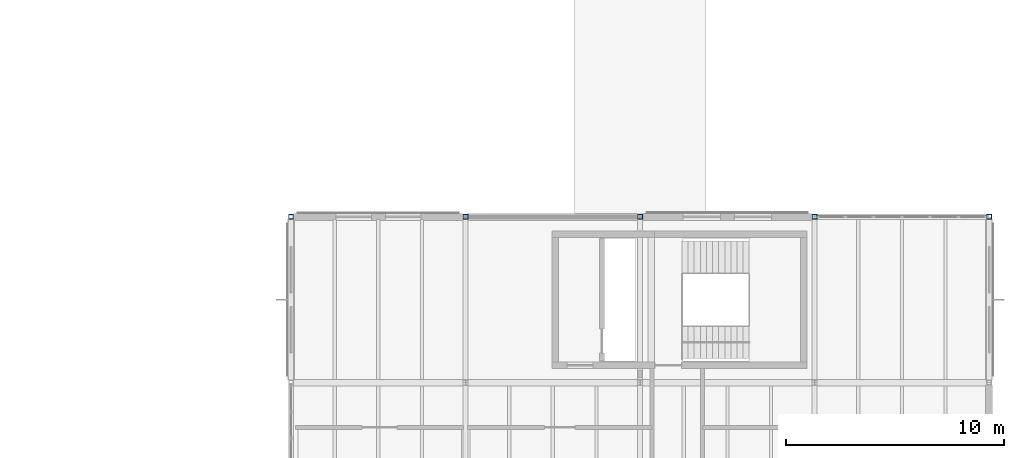
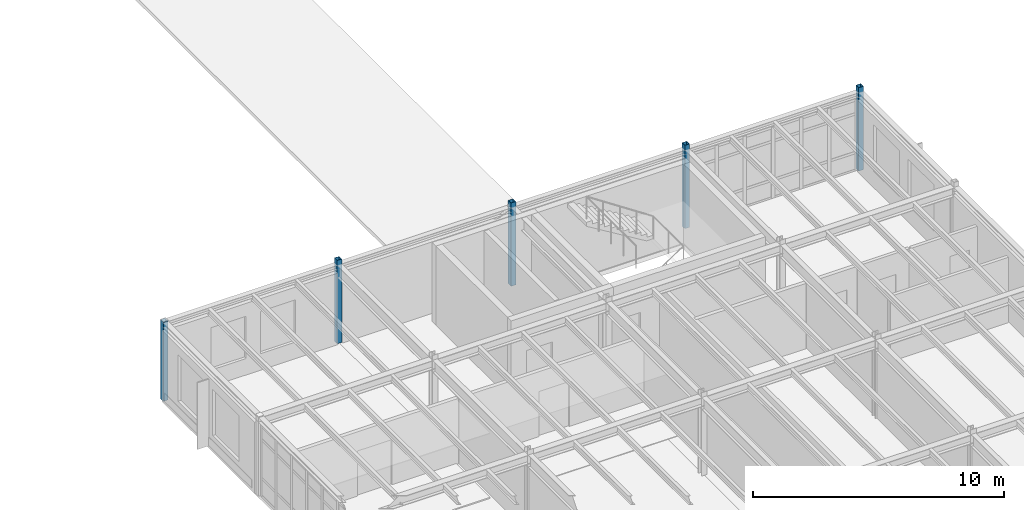
# One storey, part 15 of 114: 5 columns.
"""IFC4 building model written with IfcOpenShell, lengths in metres."""

from ifc_helpers import new_model, si_unit, direction, frame, origin, origin_2d, place, context, subcontext, project, spatial, hollow_rectangle, extrude, material, material_profile, profile_set, type_object, element, save


model = new_model("IFC4")

# Units and contexts
model_context = context("Model", 3, precision=1e-05, world=origin(), true_north=direction((0.0, 1.0)))
body_context = subcontext(model_context, "Body", "Model", "MODEL_VIEW")
ifc_project = project(units=[si_unit("LENGTHUNIT", "METRE"), si_unit("AREAUNIT", "SQUARE_METRE"), si_unit("VOLUMEUNIT", "CUBIC_METRE"), si_unit("PLANEANGLEUNIT", "RADIAN"), si_unit("MASSUNIT", "GRAM", prefix="KILO")], contexts=[model_context])

# Site, building, storey
site_placement = place(None, origin())
site = spatial("IfcSite", under=ifc_project, at=site_placement, CompositionType="ELEMENT")
building_placement = place(site_placement, origin())
building = spatial("IfcBuilding", under=site, at=building_placement, Name="Montecoro Central Library", CompositionType="ELEMENT")
storey_placement = place(building_placement, frame((0.0, 0.0, 13.260009765625)))
storey = spatial("IfcBuildingStorey", under=building, at=storey_placement, Name="L03", CompositionType="ELEMENT", Elevation=13.260009765625)

# Columns
ifc_material = material(Name="Steel S355", Category="steel")
ifc_material_profile = material_profile(ifc_material, hollow_rectangle(XDim=0.219970703125, YDim=0.219970703125, WallThickness=0.010009765625, at=origin_2d()), Name="SHS 220x220x10.0")
ifc_profile_set = profile_set([ifc_material_profile], Name="Steel S355")
column_type = type_object("IfcColumnType", Name="COL-SHS220", PredefinedType="COLUMN", material=ifc_profile_set)
column_placement = place(storey_placement, frame((141.0, 43.0, 0.0), z_axis=(0.0, 0.0, 1.0), x_axis=(1.0, 0.0, 0.0)))
element("IfcColumn", 1, at=column_placement, inside=storey, type_object=column_type, Name="V6-L03-COL-18-F", PredefinedType="COLUMN", context=body_context, shape_type="SweptSolid", body=[
    extrude(hollow_rectangle(XDim=0.219970703125, YDim=0.219970703125, WallThickness=0.010009765625, at=origin_2d()), origin(), (0.0, 0.0, 1.0), 3.85498046875),
])
for number, where, z_axis, x_axis, name in (
    (2, (149.0, 43.0, 0.0), (0.0, 0.0, 1.0), (1.0, 0.0, 0.0), "V6-L03-COL-19-F"),
    (3, (157.0, 43.0, 0.0), (0.0, 0.0, 1.0), (1.0, 0.0, 0.0), "V6-L03-COL-20-F"),
    (4, (165.0, 43.0, 0.0), (0.0, 0.0, 1.0), (1.0, 0.0, 0.0), "V6-L03-COL-21-F"),
    (5, (173.0, 43.0, 0.0), (0.0, 0.0, 1.0), (1.0, 0.0, 0.0), "V6-L03-COL-22-F"),
):
    element("IfcColumn", number, at=place(storey_placement, frame(where, z_axis=z_axis, x_axis=x_axis)), inside=storey, type_object=column_type, Name=name, PredefinedType="COLUMN", context=body_context, shape_type="SweptSolid", body=[
        extrude(hollow_rectangle(XDim=0.219970703125, YDim=0.219970703125, WallThickness=0.010009765625, at=origin_2d()), origin(), (0.0, 0.0, 1.0), 4.054931640625),
    ])

save(model, "model.ifc")
